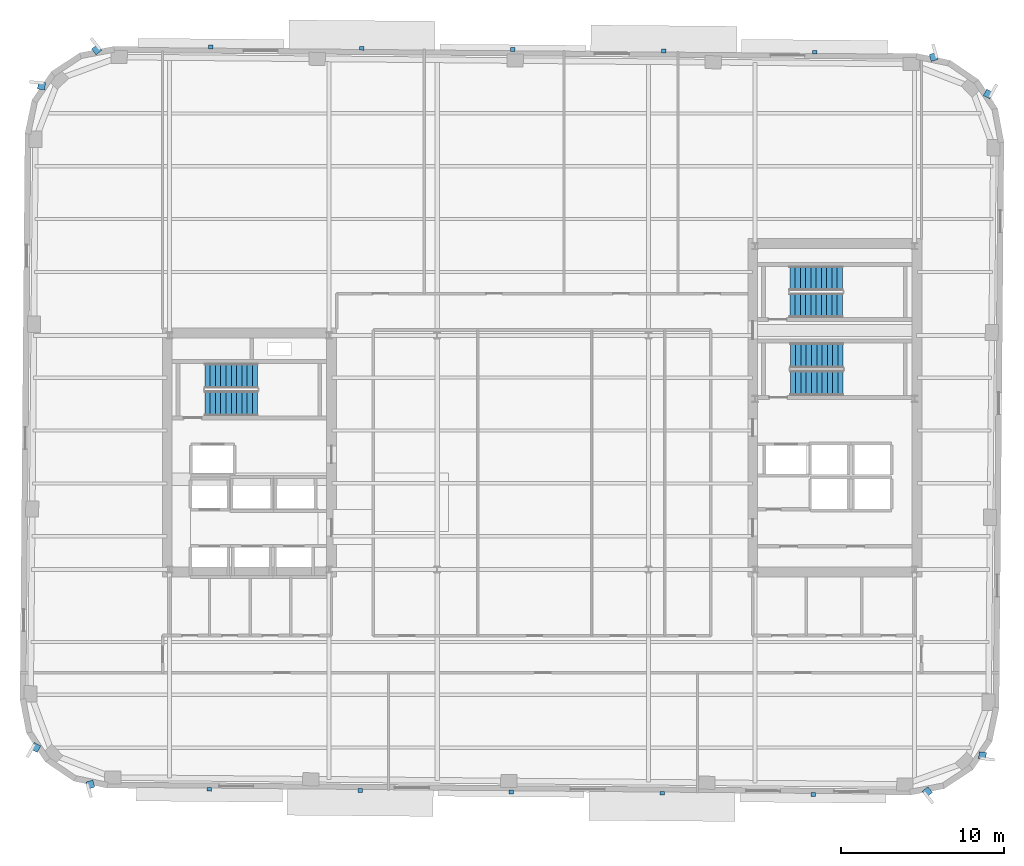
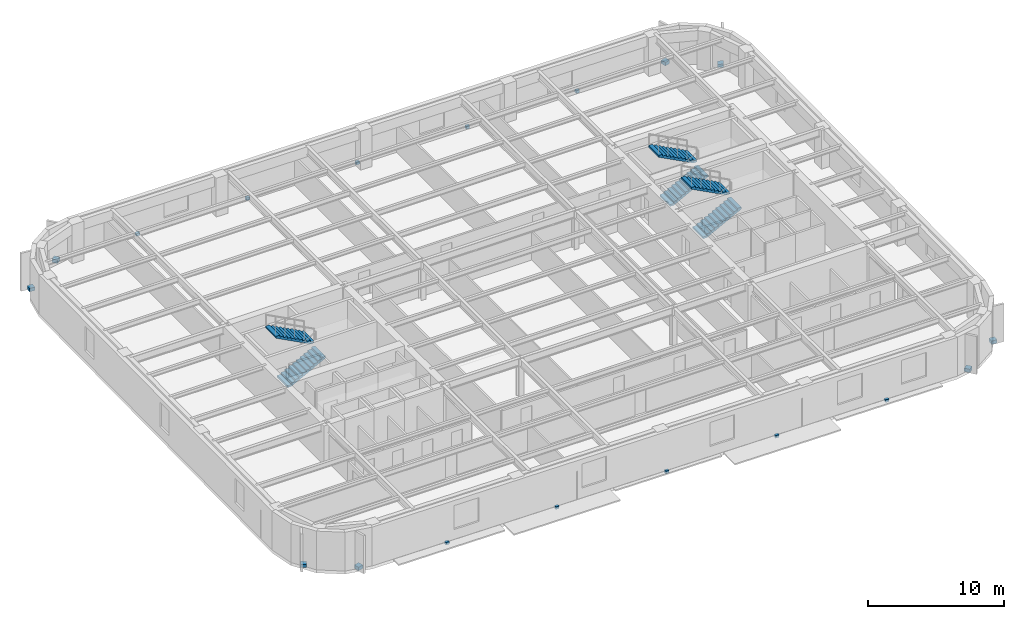
# One storey, part 7 of 12: 18 discrete accessories, 6 stair flights, 3 elements without a shape of their own.
"""IFC4 building model written with IfcOpenShell, lengths in metres."""

from ifc_helpers import new_model, si_unit, direction, frame, origin, origin_2d, place, context, subcontext, project, spatial, polyline, rectangle, outline, extrude, material, type_object, element, aggregate, save


model = new_model("IFC4")

# Units and contexts
model_context = context("Model", 3, precision=1e-05, world=origin(), true_north=direction((0.0, 1.0)))
body_context = subcontext(model_context, "Body", "Model", "MODEL_VIEW")
ifc_project = project(units=[si_unit("LENGTHUNIT", "METRE"), si_unit("AREAUNIT", "SQUARE_METRE"), si_unit("VOLUMEUNIT", "CUBIC_METRE"), si_unit("PLANEANGLEUNIT", "RADIAN"), si_unit("MASSUNIT", "GRAM", prefix="KILO")], contexts=[model_context])

# Site, building, storey
site_placement = place(None, origin())
site = spatial("IfcSite", under=ifc_project, at=site_placement, CompositionType="ELEMENT")
building_placement = place(site_placement, origin())
building = spatial("IfcBuilding", under=site, at=building_placement, Name="Kolvaren Arena Tower", CompositionType="ELEMENT")
storey_placement = place(building_placement, frame((0.0, 0.0, 177.199951171875)))
storey = spatial("IfcBuildingStorey", under=building, at=storey_placement, Name="L42", CompositionType="ELEMENT", Elevation=177.199951171875)

# Stair, stair flights
ifc_material_1 = material(Name="Concrete 45 MPa", Category="concrete")
stair_type_1 = type_object("IfcStairType", Name="STAIR-CORE-150", PredefinedType="HALF_TURN_STAIR", material=ifc_material_1)
stair_1_placement = place(storey_placement, origin())
stair_1 = element("IfcStair", 1, at=stair_1_placement, inside=storey, type_object=stair_type_1, Name="L42 ST-E2", PredefinedType="HALF_TURN_STAIR")
stair_flight_type_1 = type_object("IfcStairFlightType", Name="FLT-150", PredefinedType="STRAIGHT", material=ifc_material_1)
stair_flight_1_placement = place(storey_placement, frame((52.679931640625, 35.699951171875, 0.0), z_axis=(0.0, 0.0, 1.0), x_axis=(1.0, 0.0, 0.0)))
stair_flight_1 = element("IfcStairFlight", 2, at=stair_flight_1_placement, type_object=stair_flight_type_1, Name="ST-E2 flight 1", NumberOfRisers=11, NumberOfTreads=10, PredefinedType="STRAIGHT", RiserHeight=0.170454545, TreadLength=0.324, context=body_context, shape_type="SweptSolid", body=[
    extrude(outline(polyline([(0.0, 0.0), (0.0, 0.17041015625), (0.323974609375, 0.17041015625), (0.323974609375, 0.3408203125), (0.64794921875, 0.3408203125), (0.64794921875, 0.511474609375), (0.971923828125, 0.511474609375), (0.971923828125, 0.681884765625), (1.2958984375, 0.681884765625), (1.2958984375, 0.852294921875), (1.6201171875, 0.852294921875), (1.6201171875, 1.022705078125), (1.944091796875, 1.022705078125), (1.944091796875, 1.193115234375), (2.26806640625, 1.193115234375), (2.26806640625, 1.363525390625), (2.592041015625, 1.363525390625), (2.592041015625, 1.5341796875), (2.916015625, 1.5341796875), (2.916015625, 1.70458984375), (3.239990234375, 1.70458984375), (3.239990234375, 1.875), (3.239990234375, 1.53515625), (0.322021484375, 0.0), (0.0, 0.0)])), frame((0.0, 0.75, 0.0), z_axis=(0.0, -1.0, 0.0), x_axis=(1.0, 0.0, 0.0)), (0.0, 0.0, 1.0), 1.5),
])
stair_flight_2_placement = place(storey_placement, frame((55.919921875, 37.35009765625, 1.875), z_axis=(0.0, 0.0, 1.0), x_axis=(-1.0, 0.0, 0.0)))
stair_flight_2 = element("IfcStairFlight", 3, at=stair_flight_2_placement, type_object=stair_flight_type_1, Name="ST-E2 flight 2", NumberOfRisers=11, NumberOfTreads=10, PredefinedType="STRAIGHT", RiserHeight=0.170454545, TreadLength=0.324, context=body_context, shape_type="SweptSolid", body=[
    extrude(outline(polyline([(0.0, 0.0), (0.0, 0.17041015625), (0.323974609375, 0.17041015625), (0.323974609375, 0.3408203125), (0.64794921875, 0.3408203125), (0.64794921875, 0.511474609375), (0.971923828125, 0.511474609375), (0.971923828125, 0.681884765625), (1.2958984375, 0.681884765625), (1.2958984375, 0.852294921875), (1.6201171875, 0.852294921875), (1.6201171875, 1.022705078125), (1.944091796875, 1.022705078125), (1.944091796875, 1.193115234375), (2.26806640625, 1.193115234375), (2.26806640625, 1.363525390625), (2.592041015625, 1.363525390625), (2.592041015625, 1.5341796875), (2.916015625, 1.5341796875), (2.916015625, 1.70458984375), (3.239990234375, 1.70458984375), (3.239990234375, 1.875), (3.239990234375, 1.53515625), (0.322021484375, 0.0), (0.0, 0.0)])), frame((0.0, 0.75, 0.0), z_axis=(0.0, -1.0, 0.0), x_axis=(1.0, 0.0, 0.0)), (0.0, 0.0, 1.0), 1.5),
])
aggregate(stair_1, [stair_flight_1, stair_flight_2])

stair_type_2 = type_object("IfcStairType", Name="STAIR-CORE-165", PredefinedType="HALF_TURN_STAIR", material=ifc_material_1)
stair_2_placement = place(storey_placement, origin())
stair_2 = element("IfcStair", 4, at=stair_2_placement, inside=storey, type_object=stair_type_2, Name="L42 ST-W1", PredefinedType="HALF_TURN_STAIR")
stair_flight_type_2 = type_object("IfcStairFlightType", Name="FLT-165", PredefinedType="STRAIGHT", material=ifc_material_1)
stair_flight_3_placement = place(storey_placement, frame((16.719970703125, 29.669921875, 0.0), z_axis=(0.0, 0.0, 1.0), x_axis=(1.0, 0.0, 0.0)))
stair_flight_3 = element("IfcStairFlight", 5, at=stair_flight_3_placement, type_object=stair_flight_type_2, Name="ST-W1 flight 1", NumberOfRisers=11, NumberOfTreads=10, PredefinedType="STRAIGHT", RiserHeight=0.170454545, TreadLength=0.324, context=body_context, shape_type="SweptSolid", body=[
    extrude(outline(polyline([(0.0, 0.0), (0.0, 0.17041015625), (0.323974609375, 0.17041015625), (0.323974609375, 0.3408203125), (0.64794921875, 0.3408203125), (0.64794921875, 0.511474609375), (0.971923828125, 0.511474609375), (0.971923828125, 0.681884765625), (1.2958984375, 0.681884765625), (1.2958984375, 0.852294921875), (1.6201171875, 0.852294921875), (1.6201171875, 1.022705078125), (1.944091796875, 1.022705078125), (1.944091796875, 1.193115234375), (2.26806640625, 1.193115234375), (2.26806640625, 1.363525390625), (2.592041015625, 1.363525390625), (2.592041015625, 1.5341796875), (2.916015625, 1.5341796875), (2.916015625, 1.70458984375), (3.239990234375, 1.70458984375), (3.239990234375, 1.875), (3.239990234375, 1.53515625), (0.322021484375, 0.0), (0.0, 0.0)])), frame((0.0, 0.77001953125, 0.0), z_axis=(0.0, -1.0, 0.0), x_axis=(1.0, 0.0, 0.0)), (0.0, 0.0, 1.0), 1.5400390625),
])
stair_flight_4_placement = place(storey_placement, frame((19.9599609375, 31.360107421875, 1.875), z_axis=(0.0, 0.0, 1.0), x_axis=(-1.0, 0.0, 0.0)))
stair_flight_4 = element("IfcStairFlight", 6, at=stair_flight_4_placement, type_object=stair_flight_type_2, Name="ST-W1 flight 2", NumberOfRisers=11, NumberOfTreads=10, PredefinedType="STRAIGHT", RiserHeight=0.170454545, TreadLength=0.324, context=body_context, shape_type="SweptSolid", body=[
    extrude(outline(polyline([(0.0, 0.0), (0.0, 0.17041015625), (0.323974609375, 0.17041015625), (0.323974609375, 0.3408203125), (0.64794921875, 0.3408203125), (0.64794921875, 0.511474609375), (0.971923828125, 0.511474609375), (0.971923828125, 0.681884765625), (1.2958984375, 0.681884765625), (1.2958984375, 0.852294921875), (1.6201171875, 0.852294921875), (1.6201171875, 1.022705078125), (1.944091796875, 1.022705078125), (1.944091796875, 1.193115234375), (2.26806640625, 1.193115234375), (2.26806640625, 1.363525390625), (2.592041015625, 1.363525390625), (2.592041015625, 1.5341796875), (2.916015625, 1.5341796875), (2.916015625, 1.70458984375), (3.239990234375, 1.70458984375), (3.239990234375, 1.875), (3.239990234375, 1.53515625), (0.322021484375, 0.0), (0.0, 0.0)])), frame((0.0, 0.77001953125, 0.0), z_axis=(0.0, -1.0, 0.0), x_axis=(1.0, 0.0, 0.0)), (0.0, 0.0, 1.0), 1.5400390625),
])
aggregate(stair_2, [stair_flight_3, stair_flight_4])

stair_3_placement = place(storey_placement, origin())
stair_3 = element("IfcStair", 7, at=stair_3_placement, inside=storey, type_object=stair_type_2, Name="L42 ST-E1", PredefinedType="HALF_TURN_STAIR")
stair_flight_5_placement = place(storey_placement, frame((52.719970703125, 30.919921875, 0.0), z_axis=(0.0, 0.0, 1.0), x_axis=(1.0, 0.0, 0.0)))
stair_flight_5 = element("IfcStairFlight", 8, at=stair_flight_5_placement, type_object=stair_flight_type_2, Name="ST-E1 flight 1", NumberOfRisers=11, NumberOfTreads=10, PredefinedType="STRAIGHT", RiserHeight=0.170454545, TreadLength=0.324, context=body_context, shape_type="SweptSolid", body=[
    extrude(outline(polyline([(0.0, 0.0), (0.0, 0.17041015625), (0.323974609375, 0.17041015625), (0.323974609375, 0.3408203125), (0.64794921875, 0.3408203125), (0.64794921875, 0.511474609375), (0.971923828125, 0.511474609375), (0.971923828125, 0.681884765625), (1.2958984375, 0.681884765625), (1.2958984375, 0.852294921875), (1.6201171875, 0.852294921875), (1.6201171875, 1.022705078125), (1.944091796875, 1.022705078125), (1.944091796875, 1.193115234375), (2.26806640625, 1.193115234375), (2.26806640625, 1.363525390625), (2.592041015625, 1.363525390625), (2.592041015625, 1.5341796875), (2.916015625, 1.5341796875), (2.916015625, 1.70458984375), (3.239990234375, 1.70458984375), (3.239990234375, 1.875), (3.239990234375, 1.53515625), (0.322021484375, 0.0), (0.0, 0.0)])), frame((0.0, 0.77001953125, 0.0), z_axis=(0.0, -1.0, 0.0), x_axis=(1.0, 0.0, 0.0)), (0.0, 0.0, 1.0), 1.5400390625),
])
stair_flight_6_placement = place(storey_placement, frame((55.9599609375, 32.610107421875, 1.875), z_axis=(0.0, 0.0, 1.0), x_axis=(-1.0, 0.0, 0.0)))
stair_flight_6 = element("IfcStairFlight", 9, at=stair_flight_6_placement, type_object=stair_flight_type_2, Name="ST-E1 flight 2", NumberOfRisers=11, NumberOfTreads=10, PredefinedType="STRAIGHT", RiserHeight=0.170454545, TreadLength=0.324, context=body_context, shape_type="SweptSolid", body=[
    extrude(outline(polyline([(0.0, 0.0), (0.0, 0.17041015625), (0.323974609375, 0.17041015625), (0.323974609375, 0.3408203125), (0.64794921875, 0.3408203125), (0.64794921875, 0.511474609375), (0.971923828125, 0.511474609375), (0.971923828125, 0.681884765625), (1.2958984375, 0.681884765625), (1.2958984375, 0.852294921875), (1.6201171875, 0.852294921875), (1.6201171875, 1.022705078125), (1.944091796875, 1.022705078125), (1.944091796875, 1.193115234375), (2.26806640625, 1.193115234375), (2.26806640625, 1.363525390625), (2.592041015625, 1.363525390625), (2.592041015625, 1.5341796875), (2.916015625, 1.5341796875), (2.916015625, 1.70458984375), (3.239990234375, 1.70458984375), (3.239990234375, 1.875), (3.239990234375, 1.53515625), (0.322021484375, 0.0), (0.0, 0.0)])), frame((0.0, 0.77001953125, 0.0), z_axis=(0.0, -1.0, 0.0), x_axis=(1.0, 0.0, 0.0)), (0.0, 0.0, 1.0), 1.5400390625),
])
aggregate(stair_3, [stair_flight_5, stair_flight_6])

# Discrete accessories
ifc_material_2 = material(Name="Stainless steel facade support bracket", Category="steel")
discrete_accessory_type = type_object("IfcDiscreteAccessoryType", Name="ACC-BRKT-1", PredefinedType="BRACKET", material=ifc_material_2)
for number, where, z_axis, x_axis, name in (
    (10, (61.135009765625, 5.78173828125, 0.02001953125), (0.0, 0.0, 1.0), (0.625923472184, -0.779884483093, 0.0), "Corner Fin Anchor Bracket (L42)"),
    (11, (64.52490234375, 8.00439453125, 0.02001953125), (0.0, 0.0, 1.0), (0.994056908234, -0.108861669984, 0.0), "Corner Fin Anchor Bracket (L42)"),
    (12, (64.880126953125, 48.687744140625, 0.02001953125), (0.0, 0.0, 1.0), (0.480994889615, 0.876723397751, 0.0), "Corner Fin Anchor Bracket (L42)"),
    (13, (61.529296875, 50.968994140625, 0.02001953125), (0.0, 0.0, 1.0), (-0.279812257957, 0.960054738177, 0.0), "Corner Fin Anchor Bracket (L42)"),
):
    element("IfcDiscreteAccessory", number, at=place(storey_placement, frame(where, z_axis=z_axis, x_axis=x_axis)), inside=storey, type_object=discrete_accessory_type, Name=name, PredefinedType="BRACKET", context=body_context, shape_type="SweptSolid", body=[
        extrude(rectangle(XDim=0.449951171875, YDim=0.449951171875, at=origin_2d()), origin(), (0.0, 0.0, 1.0), 0.300048828125),
    ])
for number, where, z_axis, x_axis, name in (
    (14, (17.08984375, 51.58251953125, -0.18017578125), (0.0, 0.0, 1.0), (0.999961923064, -0.008726535498, 0.0), "Sunshade Support Bracket (L42)"),
    (15, (26.369384765625, 51.50146484375, -0.18017578125), (0.0, 0.0, 1.0), (0.999961923064, -0.008726535498, 0.0), "Sunshade Support Bracket (L42)"),
    (16, (35.649169921875, 51.42041015625, -0.18017578125), (0.0, 0.0, 1.0), (0.999961923064, -0.008726535498, 0.0), "Sunshade Support Bracket (L42)"),
    (17, (44.9287109375, 51.339599609375, -0.18017578125), (0.0, 0.0, 1.0), (0.999961923064, -0.008726535498, 0.0), "Sunshade Support Bracket (L42)"),
    (18, (54.20849609375, 51.258544921875, -0.18017578125), (0.0, 0.0, 1.0), (0.999961923064, -0.008726535498, 0.0), "Sunshade Support Bracket (L42)"),
):
    element("IfcDiscreteAccessory", number, at=place(storey_placement, frame(where, z_axis=z_axis, x_axis=x_axis)), inside=storey, type_object=discrete_accessory_type, Name=name, PredefinedType="BRACKET", context=body_context, shape_type="SweptSolid", body=[
        extrude(rectangle(XDim=0.280029296875, YDim=0.239990234375, at=origin_2d()), origin(), (0.0, 0.0, 1.0), 0.239990234375),
    ])
for number, where, z_axis, x_axis, name in (
    (19, (10.06494140625, 51.418212890625, 0.02001953125), (0.0, 0.0, 1.0), (-0.625923472184, 0.779884483093, 0.0), "Corner Fin Anchor Bracket (L42)"),
    (20, (6.675048828125, 49.195556640625, 0.02001953125), (0.0, 0.0, 1.0), (-0.994056908234, 0.108861669984, 0.0), "Corner Fin Anchor Bracket (L42)"),
    (21, (6.31982421875, 8.51220703125, 0.02001953125), (0.0, 0.0, 1.0), (-0.480994889615, -0.876723397751, 0.0), "Corner Fin Anchor Bracket (L42)"),
    (22, (9.670654296875, 6.23095703125, 0.02001953125), (0.0, 0.0, 1.0), (0.279812257957, -0.960054738177, 0.0), "Corner Fin Anchor Bracket (L42)"),
):
    element("IfcDiscreteAccessory", number, at=place(storey_placement, frame(where, z_axis=z_axis, x_axis=x_axis)), inside=storey, type_object=discrete_accessory_type, Name=name, PredefinedType="BRACKET", context=body_context, shape_type="SweptSolid", body=[
        extrude(rectangle(XDim=0.449951171875, YDim=0.449951171875, at=origin_2d()), origin(), (0.0, 0.0, 1.0), 0.300048828125),
    ])
for number, where, z_axis, x_axis, name in (
    (23, (54.110107421875, 5.61767578125, -0.18017578125), (0.0, 0.0, 1.0), (-0.999961923064, 0.008726535498, 0.0), "Sunshade Support Bracket (L42)"),
    (24, (44.83056640625, 5.698486328125, -0.18017578125), (0.0, 0.0, 1.0), (-0.999961923064, 0.008726535498, 0.0), "Sunshade Support Bracket (L42)"),
    (25, (35.55078125, 5.779541015625, -0.18017578125), (0.0, 0.0, 1.0), (-0.999961923064, 0.008726535498, 0.0), "Sunshade Support Bracket (L42)"),
    (26, (26.271240234375, 5.860595703125, -0.18017578125), (0.0, 0.0, 1.0), (-0.999961923064, 0.008726535498, 0.0), "Sunshade Support Bracket (L42)"),
    (27, (16.99169921875, 5.94140625, -0.18017578125), (0.0, 0.0, 1.0), (-0.999961923064, 0.008726535498, 0.0), "Sunshade Support Bracket (L42)"),
):
    element("IfcDiscreteAccessory", number, at=place(storey_placement, frame(where, z_axis=z_axis, x_axis=x_axis)), inside=storey, type_object=discrete_accessory_type, Name=name, PredefinedType="BRACKET", context=body_context, shape_type="SweptSolid", body=[
        extrude(rectangle(XDim=0.280029296875, YDim=0.239990234375, at=origin_2d()), origin(), (0.0, 0.0, 1.0), 0.239990234375),
    ])

save(model, "model.ifc")
